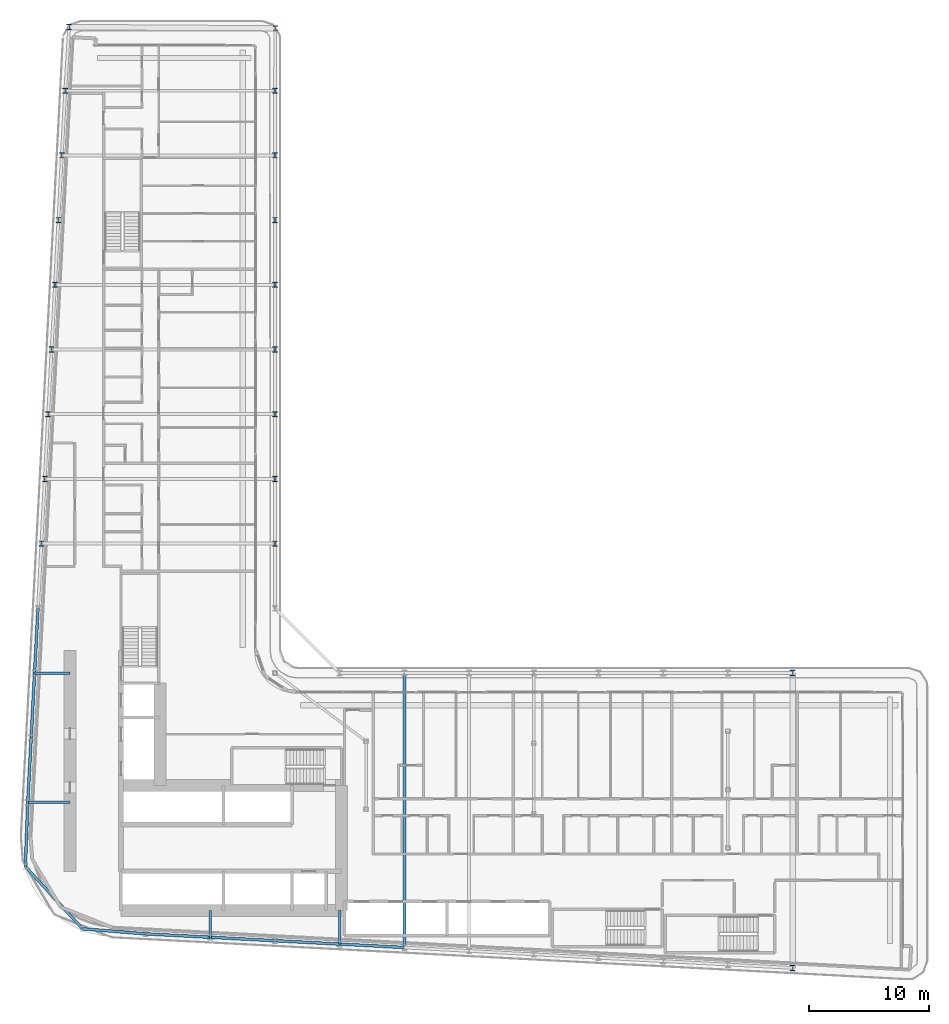
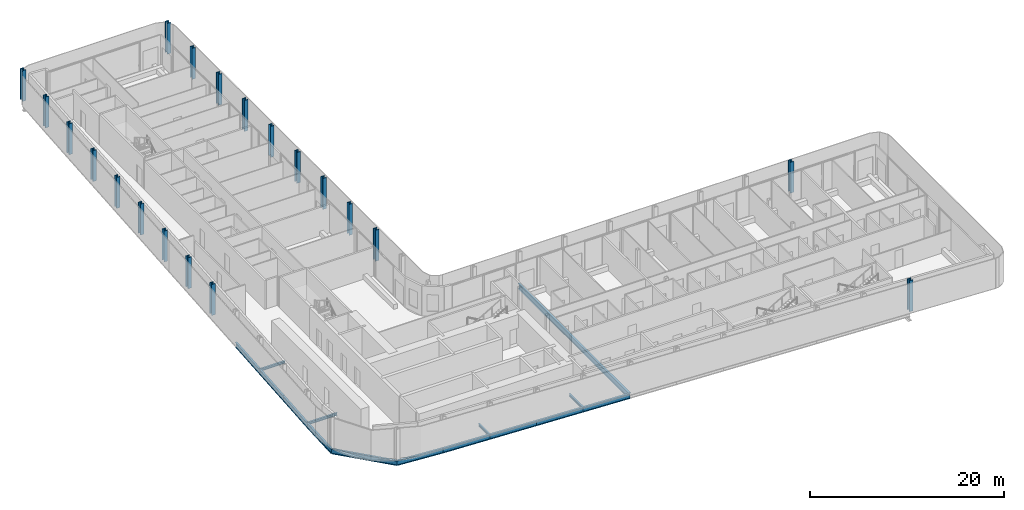
# One storey, part 3 of 28: 20 columns, 15 beams.
"""IFC4 building model written with IfcOpenShell, lengths in metres."""

from ifc_helpers import new_model, si_unit, direction, frame, origin, origin_2d, place, context, subcontext, project, spatial, i_section, extrude, material, material_profile, profile_set, type_object, element, save


model = new_model("IFC4")

# Units and contexts
model_context = context("Model", 3, precision=1e-05, world=origin(), true_north=direction((0.0, 1.0)))
body_context = subcontext(model_context, "Body", "Model", "MODEL_VIEW")
ifc_project = project(units=[si_unit("LENGTHUNIT", "METRE"), si_unit("AREAUNIT", "SQUARE_METRE"), si_unit("VOLUMEUNIT", "CUBIC_METRE"), si_unit("PLANEANGLEUNIT", "RADIAN"), si_unit("MASSUNIT", "GRAM", prefix="KILO")], contexts=[model_context])

# Site, building, storey
site_placement = place(None, origin())
site = spatial("IfcSite", under=ifc_project, at=site_placement, CompositionType="ELEMENT")
building_placement = place(site_placement, origin())
building = spatial("IfcBuilding", under=site, at=building_placement, Name="Kheshtan School and Residences Tower", CompositionType="ELEMENT")
storey_placement = place(building_placement, frame((0.0, 0.0, 77.300048828125)))
storey = spatial("IfcBuildingStorey", under=building, at=storey_placement, Name="L18", CompositionType="ELEMENT", Elevation=77.300048828125)

# Columns
ifc_material = material(Name="Steel ASTM A992 Grade 50", Category="steel")
ifc_material_profile_1 = material_profile(ifc_material, i_section(OverallWidth=0.424072265625, OverallDepth=0.47412109375, WebThickness=0.047607421875, FlangeThickness=0.0771484375, FilletRadius=0.01416015625, at=origin_2d()), Name="W360x634")
ifc_profile_set_1 = profile_set([ifc_material_profile_1], Name="Steel ASTM A992 Grade 50")
column_type = type_object("IfcColumnType", Name="Column C1 W360x634 ASTM A992 Grade 50", PredefinedType="COLUMN", material=ifc_profile_set_1)
for number, where, z_axis, x_axis, name in (
    (1, (90.800048828125, 20.989990234375, 0.0), (0.0, 0.0, 1.0), (1.0, 0.0, 0.0), "Column C006"),
    (2, (90.800048828125, 45.60009765625, 0.0), (0.0, 0.0, 1.0), (1.0, 0.0, 0.0), "Column C068"),
    (3, (28.10595703125, 56.39990234375, 0.0), (0.0, 0.0, 1.0), (1.0, 0.0, 0.0), "Column C080"),
    (4, (47.60009765625, 56.39990234375, 0.0), (0.0, 0.0, 1.0), (1.0, 0.0, 0.0), "Column C081"),
    (5, (28.389892578125, 61.800048828125, 0.0), (0.0, 0.0, 1.0), (1.0, 0.0, 0.0), "Column C082"),
    (6, (47.60009765625, 61.800048828125, 0.0), (0.0, 0.0, 1.0), (1.0, 0.0, 0.0), "Column C083"),
    (7, (28.674072265625, 67.199951171875, 0.0), (0.0, 0.0, 1.0), (1.0, 0.0, 0.0), "Column C084"),
    (8, (47.60009765625, 67.199951171875, 0.0), (0.0, 0.0, 1.0), (1.0, 0.0, 0.0), "Column C085"),
    (9, (28.9580078125, 72.60009765625, 0.0), (0.0, 0.0, 1.0), (1.0, 0.0, 0.0), "Column C086"),
    (10, (47.60009765625, 72.60009765625, 0.0), (0.0, 0.0, 1.0), (1.0, 0.0, 0.0), "Column C087"),
    (11, (29.242919921875, 78.0, 0.0), (0.0, 0.0, 1.0), (1.0, 0.0, 0.0), "Column C088"),
    (12, (47.60009765625, 78.0, 0.0), (0.0, 0.0, 1.0), (1.0, 0.0, 0.0), "Column C089"),
    (13, (29.527099609375, 83.39990234375, 0.0), (0.0, 0.0, 1.0), (1.0, 0.0, 0.0), "Column C090"),
    (14, (47.60009765625, 83.39990234375, 0.0), (0.0, 0.0, 1.0), (1.0, 0.0, 0.0), "Column C091"),
    (15, (29.81103515625, 88.800048828125, 0.0), (0.0, 0.0, 1.0), (1.0, 0.0, 0.0), "Column C098"),
    (16, (47.60009765625, 88.800048828125, 0.0), (0.0, 0.0, 1.0), (1.0, 0.0, 0.0), "Column C099"),
    (17, (30.094970703125, 94.199951171875, 0.0), (0.0, 0.0, 1.0), (1.0, 0.0, 0.0), "Column C106"),
    (18, (47.60009765625, 94.199951171875, 0.0), (0.0, 0.0, 1.0), (1.0, 0.0, 0.0), "Column C107"),
    (19, (47.6298828125, 99.402099609375, 0.0), (0.0, 0.0, 1.0), (1.0, 0.0, 0.0), "Column C113"),
    (20, (30.424072265625, 99.510009765625, 0.0), (0.0, 0.0, 1.0), (1.0, 0.0, 0.0), "Column C121"),
):
    element("IfcColumn", number, at=place(storey_placement, frame(where, z_axis=z_axis, x_axis=x_axis)), inside=storey, type_object=column_type, Name=name, PredefinedType="COLUMN", context=body_context, shape_type="SweptSolid", body=[
        extrude(i_section(OverallWidth=0.424072265625, OverallDepth=0.47412109375, WebThickness=0.047607421875, FlangeThickness=0.0771484375, FilletRadius=0.01416015625, at=origin_2d()), origin(), (0.0, 0.0, 1.0), 3.89990234375),
    ])

# Beams
ifc_material_profile_2 = material_profile(ifc_material, i_section(OverallWidth=0.202880859375, OverallDepth=0.302978515625, WebThickness=0.007568359375, FlangeThickness=0.01318359375, FilletRadius=0.009033203125, at=origin_2d()), Name="W310x60")
ifc_profile_set_2 = profile_set([ifc_material_profile_2], Name="Steel ASTM A992 Grade 50")
beam_type_1 = type_object("IfcBeamType", Name="Beam FB1 W310x60 ASTM A992 Grade 50", PredefinedType="BEAM", material=ifc_profile_set_2)
beam_1_placement = place(storey_placement, frame((53.0, 22.97998046875, -0.301513671875), z_axis=(0.0, 1.0, 0.0), x_axis=(-1.0, 0.0, 0.0)))
element("IfcBeam", 21, at=beam_1_placement, inside=storey, type_object=beam_type_1, Name="Floor beam C019", PredefinedType="BEAM", context=body_context, shape_type="SweptSolid", body=[
    extrude(i_section(OverallWidth=0.202880859375, OverallDepth=0.302978515625, WebThickness=0.007568359375, FlangeThickness=0.01318359375, FilletRadius=0.009033203125, at=origin_2d()), origin(), (0.0, 0.0, 1.0), 2.820068359375),
])
beam_2_placement = place(storey_placement, frame((42.199951171875, 23.548095703125, -0.301513671875), z_axis=(0.0, 1.0, 0.0), x_axis=(-1.0, 0.0, 0.0)))
element("IfcBeam", 22, at=beam_2_placement, inside=storey, type_object=beam_type_1, Name="Floor beam C021", PredefinedType="BEAM", context=body_context, shape_type="SweptSolid", body=[
    extrude(i_section(OverallWidth=0.202880859375, OverallDepth=0.302978515625, WebThickness=0.007568359375, FlangeThickness=0.01318359375, FilletRadius=0.009033203125, at=origin_2d()), origin(), (0.0, 0.0, 1.0), 2.251953125),
])
beam_3_placement = place(storey_placement, frame((26.968994140625, 34.800048828125, -0.301513671875), z_axis=(1.0, 0.0, 0.0), x_axis=(0.0, 1.0, 0.0)))
element("IfcBeam", 23, at=beam_3_placement, inside=storey, type_object=beam_type_1, Name="Floor beam C052", PredefinedType="BEAM", context=body_context, shape_type="SweptSolid", body=[
    extrude(i_section(OverallWidth=0.202880859375, OverallDepth=0.302978515625, WebThickness=0.007568359375, FlangeThickness=0.01318359375, FilletRadius=0.009033203125, at=origin_2d()), origin(), (0.0, 0.0, 1.0), 3.531005859375),
])
beam_4_placement = place(storey_placement, frame((27.537109375, 45.60009765625, -0.301513671875), z_axis=(1.0, 0.0, 0.0), x_axis=(0.0, 1.0, 0.0)))
element("IfcBeam", 24, at=beam_4_placement, inside=storey, type_object=beam_type_1, Name="Floor beam C059", PredefinedType="BEAM", context=body_context, shape_type="SweptSolid", body=[
    extrude(i_section(OverallWidth=0.202880859375, OverallDepth=0.302978515625, WebThickness=0.007568359375, FlangeThickness=0.01318359375, FilletRadius=0.009033203125, at=origin_2d()), origin(), (0.0, 0.0, 1.0), 2.962890625),
])
ifc_material_profile_3 = material_profile(ifc_material, i_section(OverallWidth=0.2529296875, OverallDepth=0.677978515625, WebThickness=0.01171875, FlangeThickness=0.016357421875, FilletRadius=0.0146484375, at=origin_2d()), Name="W690x125")
ifc_profile_set_3 = profile_set([ifc_material_profile_3], Name="Steel ASTM A992 Grade 50")
beam_type_2 = type_object("IfcBeamType", Name="Beam FB6 W690x125 ASTM A992 Grade 50", PredefinedType="BEAM", material=ifc_profile_set_3)
beam_5_placement = place(storey_placement, frame((58.39990234375, 45.60009765625, -0.489013671875), z_axis=(0.0, -1.0, 0.0), x_axis=(1.0, 0.0, 0.0)))
element("IfcBeam", 25, at=beam_5_placement, inside=storey, type_object=beam_type_2, Name="Floor beam C062", PredefinedType="BEAM", context=body_context, shape_type="SweptSolid", body=[
    extrude(i_section(OverallWidth=0.2529296875, OverallDepth=0.677978515625, WebThickness=0.01171875, FlangeThickness=0.016357421875, FilletRadius=0.0146484375, at=origin_2d()), origin(), (0.0, 0.0, 1.0), 22.905029296875),
])
ifc_material_profile_4 = material_profile(ifc_material, i_section(OverallWidth=0.22998046875, OverallDepth=0.616943359375, WebThickness=0.01318359375, FlangeThickness=0.022216796875, FilletRadius=0.0185546875, at=origin_2d()), Name="W610x140")
ifc_profile_set_4 = profile_set([ifc_material_profile_4], Name="Steel ASTM A992 Grade 50")
beam_type_3 = type_object("IfcBeamType", Name="Beam SP1 W610x140 ASTM A992 Grade 50", PredefinedType="BEAM", material=ifc_profile_set_4)
for number, where, z_axis, x_axis, name in (
    (26, (58.39990234375, 22.695068359375, -0.45849609375), (-0.998610961136, 0.052689166816, 0.0), (-0.052689166816, -0.998610961136, 0.0), "Spandrel beam C018-C019"),
    (27, (53.0, 22.97998046875, -0.45849609375), (-0.998620447272, 0.05250906864, 0.0), (-0.05250906864, -0.998620447272, 0.0), "Spandrel beam C019-C020"),
):
    element("IfcBeam", number, at=place(storey_placement, frame(where, z_axis=z_axis, x_axis=x_axis)), inside=storey, type_object=beam_type_3, Name=name, PredefinedType="BEAM", context=body_context, shape_type="SweptSolid", body=[
        extrude(i_section(OverallWidth=0.22998046875, OverallDepth=0.616943359375, WebThickness=0.01318359375, FlangeThickness=0.022216796875, FilletRadius=0.0185546875, at=origin_2d()), origin(), (0.0, 0.0, 1.0), 5.407470703125),
    ])
beam_6_placement = place(storey_placement, frame((47.60009765625, 23.263916015625, -0.45849609375), z_axis=(-0.998618203458, 0.052551724256, 0.0), x_axis=(-0.052551724256, -0.998618203458, 0.0)))
element("IfcBeam", 28, at=beam_6_placement, inside=storey, type_object=beam_type_3, Name="Spandrel beam C020-C021", PredefinedType="BEAM", context=body_context, shape_type="SweptSolid", body=[
    extrude(i_section(OverallWidth=0.22998046875, OverallDepth=0.616943359375, WebThickness=0.01318359375, FlangeThickness=0.022216796875, FilletRadius=0.0185546875, at=origin_2d()), origin(), (0.0, 0.0, 1.0), 5.40771484375),
])
beam_7_placement = place(storey_placement, frame((42.199951171875, 23.548095703125, -0.45849609375), z_axis=(-0.998620447272, 0.05250906864, 0.0), x_axis=(-0.05250906864, -0.998620447272, 0.0)))
element("IfcBeam", 29, at=beam_7_placement, inside=storey, type_object=beam_type_3, Name="Spandrel beam C021-C022", PredefinedType="BEAM", context=body_context, shape_type="SweptSolid", body=[
    extrude(i_section(OverallWidth=0.22998046875, OverallDepth=0.616943359375, WebThickness=0.01318359375, FlangeThickness=0.022216796875, FilletRadius=0.0185546875, at=origin_2d()), origin(), (0.0, 0.0, 1.0), 5.407470703125),
])
beam_8_placement = place(storey_placement, frame((36.800048828125, 23.83203125, -0.45849609375), z_axis=(-0.996748565693, 0.08057479003, 0.0), x_axis=(-0.08057479003, -0.996748565693, 0.0)))
element("IfcBeam", 30, at=beam_8_placement, inside=storey, type_object=beam_type_3, Name="Spandrel beam C022-C025", PredefinedType="BEAM", context=body_context, shape_type="SweptSolid", body=[
    extrude(i_section(OverallWidth=0.22998046875, OverallDepth=0.616943359375, WebThickness=0.01318359375, FlangeThickness=0.022216796875, FilletRadius=0.0185546875, at=origin_2d()), origin(), (0.0, 0.0, 1.0), 5.275146484375),
])
beam_9_placement = place(storey_placement, frame((31.5419921875, 24.257080078125, -0.45849609375), z_axis=(-0.676418406149, 0.736517576045, 0.0), x_axis=(-0.736517576045, -0.676418406149, 0.0)))
element("IfcBeam", 31, at=beam_9_placement, inside=storey, type_object=beam_type_3, Name="Spandrel beam C025-C038", PredefinedType="BEAM", context=body_context, shape_type="SweptSolid", body=[
    extrude(i_section(OverallWidth=0.22998046875, OverallDepth=0.616943359375, WebThickness=0.01318359375, FlangeThickness=0.022216796875, FilletRadius=0.0185546875, at=origin_2d()), origin(), (0.0, 0.0, 1.0), 7.05615234375),
])
beam_10_placement = place(storey_placement, frame((26.76904296875, 29.4541015625, -0.45849609375), z_axis=(0.037376249491, 0.999301263871, 0.0), x_axis=(-0.999301263871, 0.037376249491, 0.0)))
element("IfcBeam", 32, at=beam_10_placement, inside=storey, type_object=beam_type_3, Name="Spandrel beam C038-C052", PredefinedType="BEAM", context=body_context, shape_type="SweptSolid", body=[
    extrude(i_section(OverallWidth=0.22998046875, OverallDepth=0.616943359375, WebThickness=0.01318359375, FlangeThickness=0.022216796875, FilletRadius=0.0185546875, at=origin_2d()), origin(), (0.0, 0.0, 1.0), 5.349609375),
])
beam_11_placement = place(storey_placement, frame((26.968994140625, 34.800048828125, -0.45849609375), z_axis=(0.05250906864, 0.998620447272, 0.0), x_axis=(-0.998620447272, 0.05250906864, 0.0)))
element("IfcBeam", 33, at=beam_11_placement, inside=storey, type_object=beam_type_3, Name="Spandrel beam C052-C056", PredefinedType="BEAM", context=body_context, shape_type="SweptSolid", body=[
    extrude(i_section(OverallWidth=0.22998046875, OverallDepth=0.616943359375, WebThickness=0.01318359375, FlangeThickness=0.022216796875, FilletRadius=0.0185546875, at=origin_2d()), origin(), (0.0, 0.0, 1.0), 5.407470703125),
])
beam_12_placement = place(storey_placement, frame((27.2529296875, 40.199951171875, -0.45849609375), z_axis=(0.052551724256, 0.998618203458, 0.0), x_axis=(-0.998618203458, 0.052551724256, 0.0)))
element("IfcBeam", 34, at=beam_12_placement, inside=storey, type_object=beam_type_3, Name="Spandrel beam C056-C059", PredefinedType="BEAM", context=body_context, shape_type="SweptSolid", body=[
    extrude(i_section(OverallWidth=0.22998046875, OverallDepth=0.616943359375, WebThickness=0.01318359375, FlangeThickness=0.022216796875, FilletRadius=0.0185546875, at=origin_2d()), origin(), (0.0, 0.0, 1.0), 5.40771484375),
])
beam_13_placement = place(storey_placement, frame((27.537109375, 45.60009765625, -0.45849609375), z_axis=(0.052689166816, 0.998610961136, 0.0), x_axis=(-0.998610961136, 0.052689166816, 0.0)))
element("IfcBeam", 35, at=beam_13_placement, inside=storey, type_object=beam_type_3, Name="Spandrel beam C059-C078", PredefinedType="BEAM", context=body_context, shape_type="SweptSolid", body=[
    extrude(i_section(OverallWidth=0.22998046875, OverallDepth=0.616943359375, WebThickness=0.01318359375, FlangeThickness=0.022216796875, FilletRadius=0.0185546875, at=origin_2d()), origin(), (0.0, 0.0, 1.0), 5.407470703125),
])

save(model, "model.ifc")
